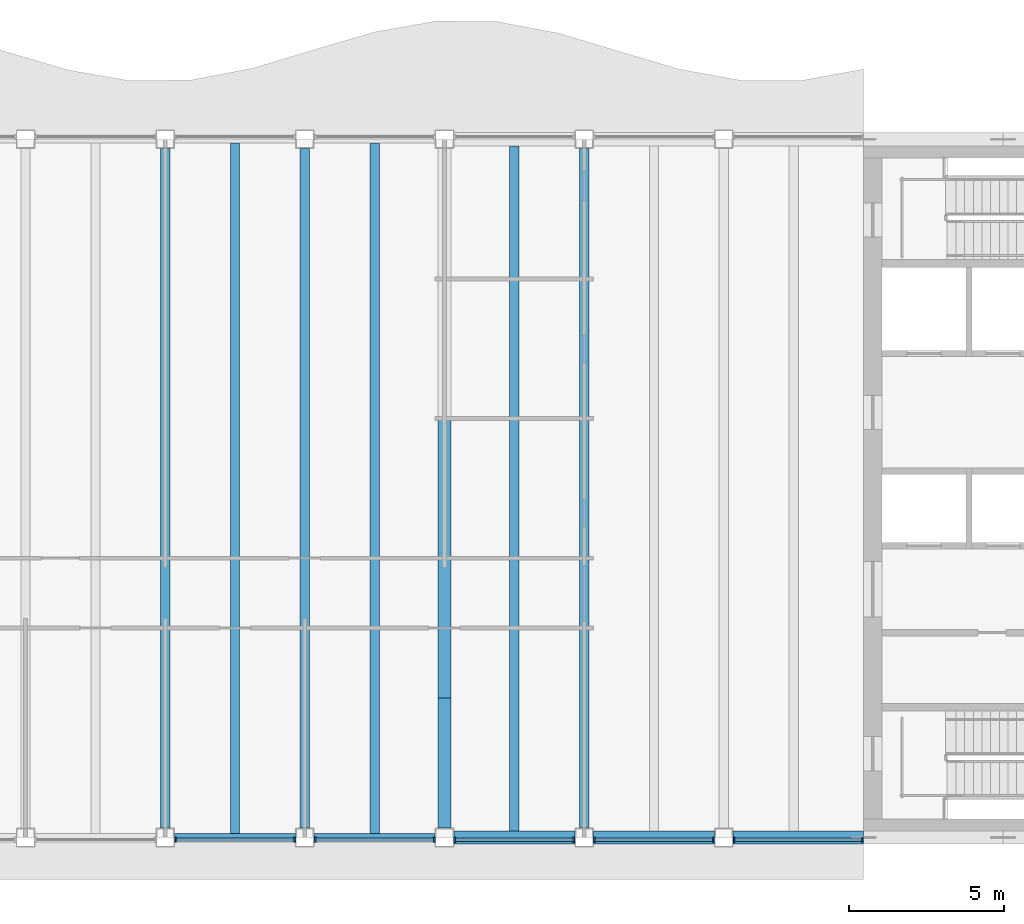
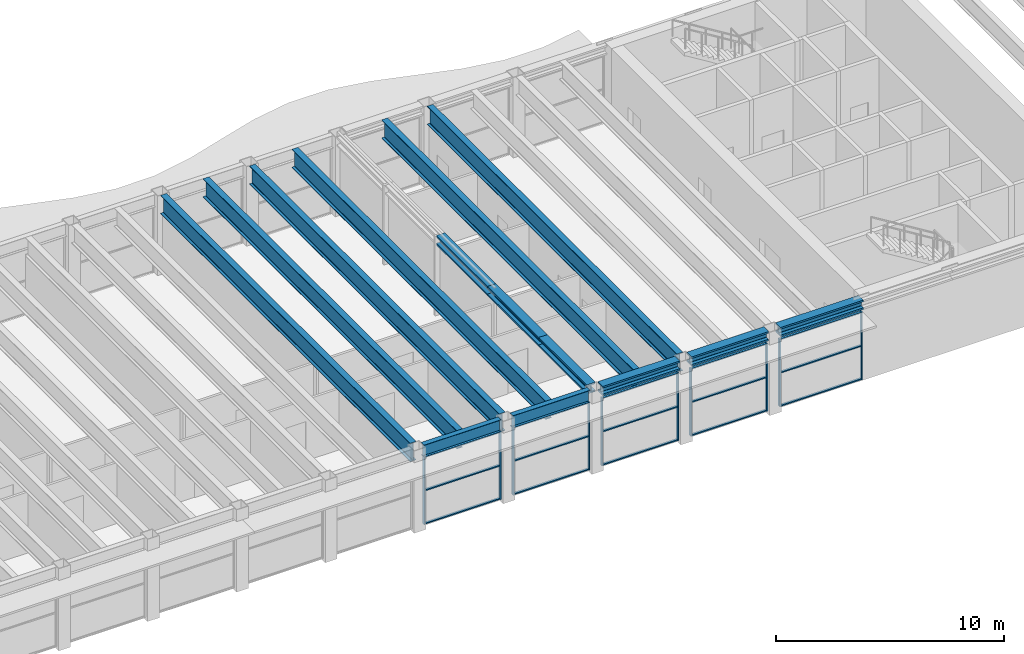
# One storey, part 5 of 15: 31 members, 8 beams, 5 elements without a shape of their own.
"""IFC4 building model written with IfcOpenShell, lengths in metres."""

from ifc_helpers import new_model, si_unit, direction, frame, origin, origin_2d, place, context, subcontext, project, spatial, rectangle, i_section, extrude, material, material_profile, profile_set, type_object, element, aggregate, save


model = new_model("IFC4")

# Units and contexts
model_context = context("Model", 3, precision=1e-05, world=origin(), true_north=direction((0.0, 1.0)))
body_context = subcontext(model_context, "Body", "Model", "MODEL_VIEW")
ifc_project = project(units=[si_unit("LENGTHUNIT", "METRE"), si_unit("AREAUNIT", "SQUARE_METRE"), si_unit("VOLUMEUNIT", "CUBIC_METRE"), si_unit("PLANEANGLEUNIT", "RADIAN"), si_unit("MASSUNIT", "GRAM", prefix="KILO")], contexts=[model_context])

# Site, building, storey
site_placement = place(None, origin())
site = spatial("IfcSite", under=ifc_project, at=site_placement, CompositionType="ELEMENT")
building_placement = place(site_placement, origin())
building = spatial("IfcBuilding", under=site, at=building_placement, Name="Sennacour Bend Tower", CompositionType="ELEMENT")
storey_placement = place(building_placement, frame((0.0, 0.0, 341.0)))
storey = spatial("IfcBuildingStorey", under=building, at=storey_placement, Name="L78", CompositionType="ELEMENT", Elevation=341.0)

# Curtain wall, members
ifc_material_1 = material(Name="Bronze anodised aluminium curtain wall with clear glass", Category="aluminium")
curtain_wall_type = type_object("IfcCurtainWallType", Name="CURTAIN WALL EXEC", PredefinedType="NOTDEFINED", material=ifc_material_1)
curtain_wall_1_placement = place(storey_placement, origin())
curtain_wall_1 = element("IfcCurtainWall", 1, at=curtain_wall_1_placement, inside=storey, type_object=curtain_wall_type, Name="Executive floor glass wall L78", PredefinedType="NOTDEFINED")
ifc_material_2 = material(Name="Aluminium 6063-T6", Category="aluminium")
ifc_material_profile_1 = material_profile(ifc_material_2, rectangle(XDim=0.14990234375, YDim=0.06005859375, at=origin_2d()), Name="Aluminium 6063-T6", Category="aluminium")
ifc_profile_set_1 = profile_set([ifc_material_profile_1], Name="Aluminium 6063-T6")
member_type_1 = type_object("IfcMemberType", Name="CW-MULLION-150X60", PredefinedType="MULLION", material=ifc_profile_set_1)
member_1_placement = place(storey_placement, frame((31.830078125, -0.074951171875, 0.0), z_axis=(0.0, 0.0, 1.0), x_axis=(0.0, 1.0, 0.0)))
member_1 = element("IfcMember", 2, at=member_1_placement, type_object=member_type_1, Name="GW3 curtain wall mullion 1", PredefinedType="MULLION", context=body_context, shape_type="SweptSolid", body=[
    extrude(rectangle(XDim=0.14990234375, YDim=0.06005859375, at=origin_2d()), origin(), (0.0, 0.0, 1.0), 3.6220703125),
])
member_2_placement = place(storey_placement, frame((35.669921875, -0.074951171875, 0.0), z_axis=(0.0, 0.0, 1.0), x_axis=(0.0, 1.0, 0.0)))
member_2 = element("IfcMember", 3, at=member_2_placement, type_object=member_type_1, Name="GW3 curtain wall mullion 2", PredefinedType="MULLION", context=body_context, shape_type="SweptSolid", body=[
    extrude(rectangle(XDim=0.14990234375, YDim=0.06005859375, at=origin_2d()), origin(), (0.0, 0.0, 1.0), 3.6220703125),
])

curtain_wall_2_placement = place(storey_placement, origin())
curtain_wall_2 = element("IfcCurtainWall", 4, at=curtain_wall_2_placement, inside=storey, type_object=curtain_wall_type, Name="Executive floor glass wall L78", PredefinedType="NOTDEFINED")
member_3_placement = place(storey_placement, frame((36.330078125, -0.074951171875, 0.0), z_axis=(0.0, 0.0, 1.0), x_axis=(0.0, 1.0, 0.0)))
member_3 = element("IfcMember", 5, at=member_3_placement, type_object=member_type_1, Name="GW3 curtain wall mullion 1", PredefinedType="MULLION", context=body_context, shape_type="SweptSolid", body=[
    extrude(rectangle(XDim=0.14990234375, YDim=0.06005859375, at=origin_2d()), origin(), (0.0, 0.0, 1.0), 3.6220703125),
])
member_4_placement = place(storey_placement, frame((40.169921875, -0.074951171875, 0.0), z_axis=(0.0, 0.0, 1.0), x_axis=(0.0, 1.0, 0.0)))
member_4 = element("IfcMember", 6, at=member_4_placement, type_object=member_type_1, Name="GW3 curtain wall mullion 2", PredefinedType="MULLION", context=body_context, shape_type="SweptSolid", body=[
    extrude(rectangle(XDim=0.14990234375, YDim=0.06005859375, at=origin_2d()), origin(), (0.0, 0.0, 1.0), 3.6220703125),
])

curtain_wall_3_placement = place(storey_placement, origin())
curtain_wall_3 = element("IfcCurtainWall", 7, at=curtain_wall_3_placement, inside=storey, type_object=curtain_wall_type, Name="Executive floor glass wall L78", PredefinedType="NOTDEFINED")
member_5_placement = place(storey_placement, frame((40.830078125, -0.074951171875, 0.0), z_axis=(0.0, 0.0, 1.0), x_axis=(0.0, 1.0, 0.0)))
member_5 = element("IfcMember", 8, at=member_5_placement, type_object=member_type_1, Name="GW3 curtain wall mullion 1", PredefinedType="MULLION", context=body_context, shape_type="SweptSolid", body=[
    extrude(rectangle(XDim=0.14990234375, YDim=0.06005859375, at=origin_2d()), origin(), (0.0, 0.0, 1.0), 3.6220703125),
])
member_6_placement = place(storey_placement, frame((44.669921875, -0.074951171875, 0.0), z_axis=(0.0, 0.0, 1.0), x_axis=(0.0, 1.0, 0.0)))
member_6 = element("IfcMember", 9, at=member_6_placement, type_object=member_type_1, Name="GW3 curtain wall mullion 2", PredefinedType="MULLION", context=body_context, shape_type="SweptSolid", body=[
    extrude(rectangle(XDim=0.14990234375, YDim=0.06005859375, at=origin_2d()), origin(), (0.0, 0.0, 1.0), 3.6220703125),
])

curtain_wall_4_placement = place(storey_placement, origin())
curtain_wall_4 = element("IfcCurtainWall", 10, at=curtain_wall_4_placement, inside=storey, type_object=curtain_wall_type, Name="Executive floor glass wall L78", PredefinedType="NOTDEFINED")
member_7_placement = place(storey_placement, frame((45.330078125, -0.074951171875, 0.0), z_axis=(0.0, 0.0, 1.0), x_axis=(0.0, 1.0, 0.0)))
member_7 = element("IfcMember", 11, at=member_7_placement, type_object=member_type_1, Name="GW3 curtain wall mullion 1", PredefinedType="MULLION", context=body_context, shape_type="SweptSolid", body=[
    extrude(rectangle(XDim=0.14990234375, YDim=0.06005859375, at=origin_2d()), origin(), (0.0, 0.0, 1.0), 3.6220703125),
])
member_8_placement = place(storey_placement, frame((49.169921875, -0.074951171875, 0.0), z_axis=(0.0, 0.0, 1.0), x_axis=(0.0, 1.0, 0.0)))
member_8 = element("IfcMember", 12, at=member_8_placement, type_object=member_type_1, Name="GW3 curtain wall mullion 2", PredefinedType="MULLION", context=body_context, shape_type="SweptSolid", body=[
    extrude(rectangle(XDim=0.14990234375, YDim=0.06005859375, at=origin_2d()), origin(), (0.0, 0.0, 1.0), 3.6220703125),
])

curtain_wall_5_placement = place(storey_placement, origin())
curtain_wall_5 = element("IfcCurtainWall", 13, at=curtain_wall_5_placement, inside=storey, type_object=curtain_wall_type, Name="Executive floor glass wall L78", PredefinedType="NOTDEFINED")
member_9_placement = place(storey_placement, frame((49.830078125, -0.074951171875, 0.0), z_axis=(0.0, 0.0, 1.0), x_axis=(0.0, 1.0, 0.0)))
member_9 = element("IfcMember", 14, at=member_9_placement, type_object=member_type_1, Name="GW3 curtain wall mullion 1", PredefinedType="MULLION", context=body_context, shape_type="SweptSolid", body=[
    extrude(rectangle(XDim=0.14990234375, YDim=0.06005859375, at=origin_2d()), origin(), (0.0, 0.0, 1.0), 3.6220703125),
])
member_10_placement = place(storey_placement, frame((53.969970703125, -0.074951171875, 0.0), z_axis=(0.0, 0.0, 1.0), x_axis=(0.0, 1.0, 0.0)))
member_10 = element("IfcMember", 15, at=member_10_placement, type_object=member_type_1, Name="GW3 curtain wall mullion 2", PredefinedType="MULLION", context=body_context, shape_type="SweptSolid", body=[
    extrude(rectangle(XDim=0.14990234375, YDim=0.06005859375, at=origin_2d()), origin(), (0.0, 0.0, 1.0), 3.6220703125),
])

# Member
ifc_material_profile_2 = material_profile(ifc_material_2, rectangle(XDim=0.1201171875, YDim=0.06005859375, at=origin_2d()), Name="Aluminium 6063-T6", Category="aluminium")
ifc_profile_set_2 = profile_set([ifc_material_profile_2], Name="Aluminium 6063-T6")
member_type_2 = type_object("IfcMemberType", Name="CW-TRANSOM-120X60", PredefinedType="USERDEFINED", material=ifc_profile_set_2)
member_11_placement = place(storey_placement, frame((31.860107421875, -0.074951171875, 0.030029296875), z_axis=(1.0, 0.0, 0.0), x_axis=(0.0, 1.0, 0.0)))
member_11 = element("IfcMember", 16, at=member_11_placement, type_object=member_type_2, Name="GW3 curtain wall transom 1.1", ObjectType="TRANSOM", PredefinedType="USERDEFINED", context=body_context, shape_type="SweptSolid", body=[
    extrude(rectangle(XDim=0.1201171875, YDim=0.06005859375, at=origin_2d()), origin(), (0.0, 0.0, 1.0), 3.77978515625),
])

member_12_placement = place(storey_placement, frame((31.860107421875, -0.074951171875, 1.81103515625), z_axis=(1.0, 0.0, 0.0), x_axis=(0.0, 1.0, 0.0)))
member_12 = element("IfcMember", 17, at=member_12_placement, type_object=member_type_2, Name="GW3 curtain wall transom 1.2", ObjectType="TRANSOM", PredefinedType="USERDEFINED", context=body_context, shape_type="SweptSolid", body=[
    extrude(rectangle(XDim=0.1201171875, YDim=0.06005859375, at=origin_2d()), origin(), (0.0, 0.0, 1.0), 3.77978515625),
])

member_13_placement = place(storey_placement, frame((31.860107421875, -0.074951171875, 3.592041015625), z_axis=(1.0, 0.0, 0.0), x_axis=(0.0, 1.0, 0.0)))
member_13 = element("IfcMember", 18, at=member_13_placement, type_object=member_type_2, Name="GW3 curtain wall transom 1.3", ObjectType="TRANSOM", PredefinedType="USERDEFINED", context=body_context, shape_type="SweptSolid", body=[
    extrude(rectangle(XDim=0.1201171875, YDim=0.06005859375, at=origin_2d()), origin(), (0.0, 0.0, 1.0), 3.77978515625),
])

aggregate(curtain_wall_1, [member_1, member_2, member_11, member_12, member_13])

member_14_placement = place(storey_placement, frame((36.360107421875, -0.074951171875, 0.030029296875), z_axis=(1.0, 0.0, 0.0), x_axis=(0.0, 1.0, 0.0)))
member_14 = element("IfcMember", 19, at=member_14_placement, type_object=member_type_2, Name="GW3 curtain wall transom 1.1", ObjectType="TRANSOM", PredefinedType="USERDEFINED", context=body_context, shape_type="SweptSolid", body=[
    extrude(rectangle(XDim=0.1201171875, YDim=0.06005859375, at=origin_2d()), origin(), (0.0, 0.0, 1.0), 3.77978515625),
])

member_15_placement = place(storey_placement, frame((36.360107421875, -0.074951171875, 1.81103515625), z_axis=(1.0, 0.0, 0.0), x_axis=(0.0, 1.0, 0.0)))
member_15 = element("IfcMember", 20, at=member_15_placement, type_object=member_type_2, Name="GW3 curtain wall transom 1.2", ObjectType="TRANSOM", PredefinedType="USERDEFINED", context=body_context, shape_type="SweptSolid", body=[
    extrude(rectangle(XDim=0.1201171875, YDim=0.06005859375, at=origin_2d()), origin(), (0.0, 0.0, 1.0), 3.77978515625),
])

member_16_placement = place(storey_placement, frame((36.360107421875, -0.074951171875, 3.592041015625), z_axis=(1.0, 0.0, 0.0), x_axis=(0.0, 1.0, 0.0)))
member_16 = element("IfcMember", 21, at=member_16_placement, type_object=member_type_2, Name="GW3 curtain wall transom 1.3", ObjectType="TRANSOM", PredefinedType="USERDEFINED", context=body_context, shape_type="SweptSolid", body=[
    extrude(rectangle(XDim=0.1201171875, YDim=0.06005859375, at=origin_2d()), origin(), (0.0, 0.0, 1.0), 3.77978515625),
])

aggregate(curtain_wall_2, [member_3, member_4, member_14, member_15, member_16])

member_17_placement = place(storey_placement, frame((40.860107421875, -0.074951171875, 0.030029296875), z_axis=(1.0, 0.0, 0.0), x_axis=(0.0, 1.0, 0.0)))
member_17 = element("IfcMember", 22, at=member_17_placement, type_object=member_type_2, Name="GW3 curtain wall transom 1.1", ObjectType="TRANSOM", PredefinedType="USERDEFINED", context=body_context, shape_type="SweptSolid", body=[
    extrude(rectangle(XDim=0.1201171875, YDim=0.06005859375, at=origin_2d()), origin(), (0.0, 0.0, 1.0), 3.77978515625),
])

member_18_placement = place(storey_placement, frame((40.860107421875, -0.074951171875, 1.81103515625), z_axis=(1.0, 0.0, 0.0), x_axis=(0.0, 1.0, 0.0)))
member_18 = element("IfcMember", 23, at=member_18_placement, type_object=member_type_2, Name="GW3 curtain wall transom 1.2", ObjectType="TRANSOM", PredefinedType="USERDEFINED", context=body_context, shape_type="SweptSolid", body=[
    extrude(rectangle(XDim=0.1201171875, YDim=0.06005859375, at=origin_2d()), origin(), (0.0, 0.0, 1.0), 3.77978515625),
])

member_19_placement = place(storey_placement, frame((40.860107421875, -0.074951171875, 3.592041015625), z_axis=(1.0, 0.0, 0.0), x_axis=(0.0, 1.0, 0.0)))
member_19 = element("IfcMember", 24, at=member_19_placement, type_object=member_type_2, Name="GW3 curtain wall transom 1.3", ObjectType="TRANSOM", PredefinedType="USERDEFINED", context=body_context, shape_type="SweptSolid", body=[
    extrude(rectangle(XDim=0.1201171875, YDim=0.06005859375, at=origin_2d()), origin(), (0.0, 0.0, 1.0), 3.77978515625),
])

aggregate(curtain_wall_3, [member_5, member_6, member_17, member_18, member_19])

member_20_placement = place(storey_placement, frame((45.360107421875, -0.074951171875, 0.030029296875), z_axis=(1.0, 0.0, 0.0), x_axis=(0.0, 1.0, 0.0)))
member_20 = element("IfcMember", 25, at=member_20_placement, type_object=member_type_2, Name="GW3 curtain wall transom 1.1", ObjectType="TRANSOM", PredefinedType="USERDEFINED", context=body_context, shape_type="SweptSolid", body=[
    extrude(rectangle(XDim=0.1201171875, YDim=0.06005859375, at=origin_2d()), origin(), (0.0, 0.0, 1.0), 3.77978515625),
])

member_21_placement = place(storey_placement, frame((45.360107421875, -0.074951171875, 1.81103515625), z_axis=(1.0, 0.0, 0.0), x_axis=(0.0, 1.0, 0.0)))
member_21 = element("IfcMember", 26, at=member_21_placement, type_object=member_type_2, Name="GW3 curtain wall transom 1.2", ObjectType="TRANSOM", PredefinedType="USERDEFINED", context=body_context, shape_type="SweptSolid", body=[
    extrude(rectangle(XDim=0.1201171875, YDim=0.06005859375, at=origin_2d()), origin(), (0.0, 0.0, 1.0), 3.77978515625),
])

member_22_placement = place(storey_placement, frame((45.360107421875, -0.074951171875, 3.592041015625), z_axis=(1.0, 0.0, 0.0), x_axis=(0.0, 1.0, 0.0)))
member_22 = element("IfcMember", 27, at=member_22_placement, type_object=member_type_2, Name="GW3 curtain wall transom 1.3", ObjectType="TRANSOM", PredefinedType="USERDEFINED", context=body_context, shape_type="SweptSolid", body=[
    extrude(rectangle(XDim=0.1201171875, YDim=0.06005859375, at=origin_2d()), origin(), (0.0, 0.0, 1.0), 3.77978515625),
])

aggregate(curtain_wall_4, [member_7, member_8, member_20, member_21, member_22])

member_23_placement = place(storey_placement, frame((49.860107421875, -0.074951171875, 0.030029296875), z_axis=(1.0, 0.0, 0.0), x_axis=(0.0, 1.0, 0.0)))
member_23 = element("IfcMember", 28, at=member_23_placement, type_object=member_type_2, Name="GW3 curtain wall transom 1.1", ObjectType="TRANSOM", PredefinedType="USERDEFINED", context=body_context, shape_type="SweptSolid", body=[
    extrude(rectangle(XDim=0.1201171875, YDim=0.06005859375, at=origin_2d()), origin(), (0.0, 0.0, 1.0), 4.079833984375),
])

member_24_placement = place(storey_placement, frame((49.860107421875, -0.074951171875, 1.81103515625), z_axis=(1.0, 0.0, 0.0), x_axis=(0.0, 1.0, 0.0)))
member_24 = element("IfcMember", 29, at=member_24_placement, type_object=member_type_2, Name="GW3 curtain wall transom 1.2", ObjectType="TRANSOM", PredefinedType="USERDEFINED", context=body_context, shape_type="SweptSolid", body=[
    extrude(rectangle(XDim=0.1201171875, YDim=0.06005859375, at=origin_2d()), origin(), (0.0, 0.0, 1.0), 4.079833984375),
])

member_25_placement = place(storey_placement, frame((49.860107421875, -0.074951171875, 3.592041015625), z_axis=(1.0, 0.0, 0.0), x_axis=(0.0, 1.0, 0.0)))
member_25 = element("IfcMember", 30, at=member_25_placement, type_object=member_type_2, Name="GW3 curtain wall transom 1.3", ObjectType="TRANSOM", PredefinedType="USERDEFINED", context=body_context, shape_type="SweptSolid", body=[
    extrude(rectangle(XDim=0.1201171875, YDim=0.06005859375, at=origin_2d()), origin(), (0.0, 0.0, 1.0), 4.079833984375),
])

aggregate(curtain_wall_5, [member_9, member_10, member_23, member_24, member_25])

# Beams
ifc_material_3 = material(Name="Steel ASTM A992 Grade 50", Category="steel")
ifc_material_profile_3 = material_profile(ifc_material_3, i_section(OverallWidth=0.300048828125, OverallDepth=0.990966796875, WebThickness=0.0166015625, FlangeThickness=0.030517578125, FilletRadius=0.030029296875, at=origin_2d()), Name="Steel ASTM A992 Grade 50", Category="steel")
ifc_profile_set_3 = profile_set([ifc_material_profile_3], Name="Steel ASTM A992 Grade 50")
beam_type_1 = type_object("IfcBeamType", Name="Floor beam W1000X272", PredefinedType="BEAM", material=ifc_profile_set_3)
beam_1_placement = place(storey_placement, frame((31.5, 0.300048828125, 3.75439453125), z_axis=(0.0, 1.0, 0.0), x_axis=(-1.0, 0.0, 0.0)))
element("IfcBeam", 31, at=beam_1_placement, inside=storey, type_object=beam_type_1, Name="Floor beam FBM3 L79-014", PredefinedType="BEAM", context=body_context, shape_type="SweptSolid", body=[
    extrude(i_section(OverallWidth=0.300048828125, OverallDepth=0.990966796875, WebThickness=0.0166015625, FlangeThickness=0.030517578125, FilletRadius=0.030029296875, at=origin_2d()), origin(), (0.0, 0.0, 1.0), 21.89990234375),
])
beam_2_placement = place(storey_placement, frame((33.75, 0.126953125, 3.75439453125), z_axis=(0.0, 1.0, 0.0), x_axis=(-1.0, 0.0, 0.0)))
element("IfcBeam", 32, at=beam_2_placement, inside=storey, type_object=beam_type_1, Name="Floor beam FBM3 L79-015", PredefinedType="BEAM", context=body_context, shape_type="SweptSolid", body=[
    extrude(i_section(OverallWidth=0.300048828125, OverallDepth=0.990966796875, WebThickness=0.0166015625, FlangeThickness=0.030517578125, FilletRadius=0.030029296875, at=origin_2d()), origin(), (0.0, 0.0, 1.0), 22.24609375),
])
beam_3_placement = place(storey_placement, frame((36.0, 0.300048828125, 3.75439453125), z_axis=(0.0, 1.0, 0.0), x_axis=(-1.0, 0.0, 0.0)))
element("IfcBeam", 33, at=beam_3_placement, inside=storey, type_object=beam_type_1, Name="Floor beam FBM3 L79-016", PredefinedType="BEAM", context=body_context, shape_type="SweptSolid", body=[
    extrude(i_section(OverallWidth=0.300048828125, OverallDepth=0.990966796875, WebThickness=0.0166015625, FlangeThickness=0.030517578125, FilletRadius=0.030029296875, at=origin_2d()), origin(), (0.0, 0.0, 1.0), 21.89990234375),
])
beam_4_placement = place(storey_placement, frame((38.25, 0.126953125, 3.75439453125), z_axis=(0.0, 1.0, 0.0), x_axis=(-1.0, 0.0, 0.0)))
element("IfcBeam", 34, at=beam_4_placement, inside=storey, type_object=beam_type_1, Name="Floor beam FBM3 L79-017", PredefinedType="BEAM", context=body_context, shape_type="SweptSolid", body=[
    extrude(i_section(OverallWidth=0.300048828125, OverallDepth=0.990966796875, WebThickness=0.0166015625, FlangeThickness=0.030517578125, FilletRadius=0.030029296875, at=origin_2d()), origin(), (0.0, 0.0, 1.0), 22.24609375),
])
beam_5_placement = place(storey_placement, frame((42.75, 0.216064453125, 3.804443359375), z_axis=(0.0, 1.0, 0.0), x_axis=(-1.0, 0.0, 0.0)))
element("IfcBeam", 35, at=beam_5_placement, inside=storey, type_object=beam_type_1, Name="Floor beam FBM3 L79-018", PredefinedType="BEAM", context=body_context, shape_type="SweptSolid", body=[
    extrude(i_section(OverallWidth=0.300048828125, OverallDepth=0.990966796875, WebThickness=0.0166015625, FlangeThickness=0.030517578125, FilletRadius=0.030029296875, at=origin_2d()), origin(), (0.0, 0.0, 1.0), 22.06787109375),
])
beam_6_placement = place(storey_placement, frame((45.0, 0.300048828125, 3.804443359375), z_axis=(0.0, 1.0, 0.0), x_axis=(-1.0, 0.0, 0.0)))
element("IfcBeam", 36, at=beam_6_placement, inside=storey, type_object=beam_type_1, Name="Floor beam FBM3 L79-019", PredefinedType="BEAM", context=body_context, shape_type="SweptSolid", body=[
    extrude(i_section(OverallWidth=0.300048828125, OverallDepth=0.990966796875, WebThickness=0.0166015625, FlangeThickness=0.030517578125, FilletRadius=0.030029296875, at=origin_2d()), origin(), (0.0, 0.0, 1.0), 21.89990234375),
])

# Members
ifc_material_profile_4 = material_profile(ifc_material_3, i_section(OverallWidth=0.431884765625, OverallDepth=0.498046875, WebThickness=0.0556640625, FlangeThickness=0.0888671875, FilletRadius=0.01513671875, at=origin_2d()), Name="Steel ASTM A992 Grade 50", Category="steel")
ifc_profile_set_4 = profile_set([ifc_material_profile_4], Name="Steel ASTM A992 Grade 50")
member_type_3 = type_object("IfcMemberType", Name="Lounge truss chord W360X744", PredefinedType="CHORD", material=ifc_profile_set_4)
for number, where, z_axis, x_axis, name in (
    (37, (40.800048828125, 0.0, 4.051025390625), (1.0, 0.0, 0.0), (0.0, 1.0, 0.0), "Lounge truss chord LTC L79-001"),
    (38, (45.300048828125, 0.0, 4.051025390625), (1.0, 0.0, 0.0), (0.0, 1.0, 0.0), "Lounge truss chord LTC L79-002"),
):
    element("IfcMember", number, at=place(storey_placement, frame(where, z_axis=z_axis, x_axis=x_axis)), inside=storey, type_object=member_type_3, Name=name, PredefinedType="CHORD", context=body_context, shape_type="SweptSolid", body=[
        extrude(i_section(OverallWidth=0.431884765625, OverallDepth=0.498046875, WebThickness=0.0556640625, FlangeThickness=0.0888671875, FilletRadius=0.01513671875, at=origin_2d()), origin(), (0.0, 0.0, 1.0), 3.89990234375),
    ])
for number, where, z_axis, x_axis, name in (
    (39, (49.800048828125, 0.0, 4.051025390625), (1.0, 0.0, 0.0), (0.0, 1.0, 0.0), "Lounge truss chord LTC L79-003"),
    (40, (40.5, 0.300048828125, 4.0009765625), (0.0, 1.0, 0.0), (-1.0, 0.0, 0.0), "Lounge truss chord LTC L79-017"),
):
    element("IfcMember", number, at=place(storey_placement, frame(where, z_axis=z_axis, x_axis=x_axis)), inside=storey, type_object=member_type_3, Name=name, PredefinedType="CHORD", context=body_context, shape_type="SweptSolid", body=[
        extrude(i_section(OverallWidth=0.431884765625, OverallDepth=0.498046875, WebThickness=0.0556640625, FlangeThickness=0.0888671875, FilletRadius=0.01513671875, at=origin_2d()), origin(), (0.0, 0.0, 1.0), 4.199951171875),
    ])
for number, where, z_axis, x_axis, name in (
    (41, (40.5, 4.5, 4.0009765625), (0.0, 1.0, 0.0), (-1.0, 0.0, 0.0), "Lounge truss chord LTC L79-018"),
    (42, (40.5, 9.0, 4.0009765625), (0.0, 1.0, 0.0), (-1.0, 0.0, 0.0), "Lounge truss chord LTC L79-019"),
):
    element("IfcMember", number, at=place(storey_placement, frame(where, z_axis=z_axis, x_axis=x_axis)), inside=storey, type_object=member_type_3, Name=name, PredefinedType="CHORD", context=body_context, shape_type="SweptSolid", body=[
        extrude(i_section(OverallWidth=0.431884765625, OverallDepth=0.498046875, WebThickness=0.0556640625, FlangeThickness=0.0888671875, FilletRadius=0.01513671875, at=origin_2d()), origin(), (0.0, 0.0, 1.0), 4.5),
    ])

# Beams
ifc_material_profile_5 = material_profile(ifc_material_3, i_section(OverallWidth=0.25390625, OverallDepth=0.677978515625, WebThickness=0.01171875, FlangeThickness=0.016357421875, FilletRadius=0.01513671875, at=origin_2d()), Name="Steel ASTM A992 Grade 50", Category="steel")
ifc_profile_set_5 = profile_set([ifc_material_profile_5], Name="Steel ASTM A992 Grade 50")
beam_type_2 = type_object("IfcBeamType", Name="Spandrel beam W690X125", PredefinedType="SPANDREL", material=ifc_profile_set_5)
for number, where, z_axis, x_axis, name in (
    (43, (40.199951171875, 0.0, 3.910888671875), (-1.0, 0.0, 0.0), (0.0, -1.0, 0.0), "Spandrel beam SP7 L79-010"),
    (44, (35.699951171875, 0.0, 3.910888671875), (-1.0, 0.0, 0.0), (0.0, -1.0, 0.0), "Spandrel beam SP7 L79-011"),
):
    element("IfcBeam", number, at=place(storey_placement, frame(where, z_axis=z_axis, x_axis=x_axis)), inside=storey, type_object=beam_type_2, Name=name, PredefinedType="SPANDREL", context=body_context, shape_type="SweptSolid", body=[
        extrude(i_section(OverallWidth=0.25390625, OverallDepth=0.677978515625, WebThickness=0.01171875, FlangeThickness=0.016357421875, FilletRadius=0.01513671875, at=origin_2d()), origin(), (0.0, 0.0, 1.0), 3.89990234375),
    ])

save(model, "model.ifc")
